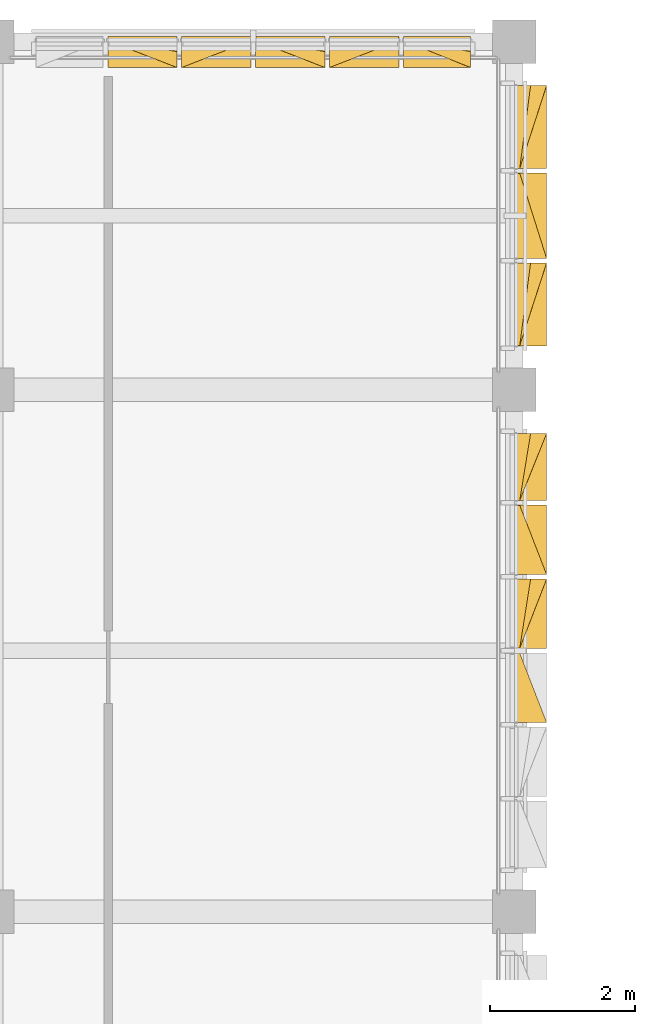
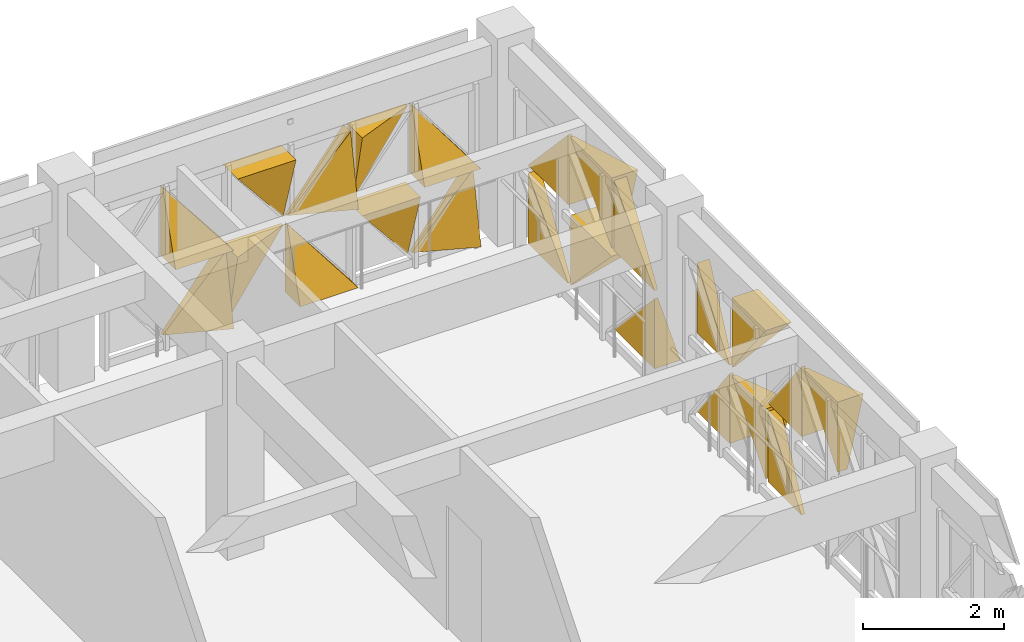
# One storey, part 99 of 99: 23 coverings.
"""IFC4 building model written with IfcOpenShell, lengths in metres."""

from ifc_helpers import new_model, si_unit, direction, frame, origin, place, context, subcontext, project, spatial, polygons, material, layer, layer_set, type_object, element, save


model = new_model("IFC4")

# Units and contexts
model_context = context("Model", 3, precision=1e-05, world=origin(), true_north=direction((0.0, 1.0)))
body_context = subcontext(model_context, "Body", "Model", "MODEL_VIEW")
ifc_project = project(units=[si_unit("LENGTHUNIT", "METRE"), si_unit("AREAUNIT", "SQUARE_METRE"), si_unit("VOLUMEUNIT", "CUBIC_METRE"), si_unit("PLANEANGLEUNIT", "RADIAN"), si_unit("MASSUNIT", "GRAM", prefix="KILO")], contexts=[model_context])

# Site, building, storey
site_placement = place(None, origin())
site = spatial("IfcSite", under=ifc_project, at=site_placement, CompositionType="ELEMENT")
building_placement = place(site_placement, origin())
building = spatial("IfcBuilding", under=site, at=building_placement, Name="Alvorim Cloister Faculty of Sciences", CompositionType="ELEMENT")
storey_placement = place(building_placement, frame((0.0, 0.0, 12.14990234375)))
storey = spatial("IfcBuildingStorey", under=building, at=storey_placement, Name="L03", CompositionType="ELEMENT", Elevation=12.14990234375)

# Coverings
ifc_material = material(Name="Perforated Bronze Alloy Sheet", Category="metal")
ifc_layer = layer(ifc_material, 0.0380859375)
ifc_layer_set = layer_set([ifc_layer], Name="Perforated Bronze Alloy Sheet")
covering_type = type_object("IfcCoveringType", Name="COV-TRI-BRZ", PredefinedType="CLADDING", material=ifc_layer_set)
covering_1_placement = place(storey_placement, frame((15.992431640625, 111.64501953125, 0.14013671875), z_axis=(0.0, 0.0, 1.0), x_axis=(1.0, 0.0, 0.0)))
element("IfcCovering", 1, at=covering_1_placement, inside=storey, type_object=covering_type, Name="Diagonal Solid Metal Triangle TRI-BR", PredefinedType="CLADDING", context=body_context, shape_type="Tessellation", body=[
    polygons([(0.002, 0.0260009765625, 0.0), (0.955078125, 0.0260009765625, 0.0), (0.955078125, 0.0260009765625, 1.21284375), (0.002, -0.03, 0.0), (0.955078125, -0.4, 0.0), (0.955078125, -0.18000000000000002, 1.21284375)], [[[1, 3, 2]], [[4, 5, 6]], [[1, 2, 5, 4]], [[2, 3, 6, 5]], [[3, 1, 4, 6]]], closed=True),
])
covering_2_placement = place(storey_placement, frame((15.992431640625, 111.64501953125, 1.4951171875), z_axis=(0.0, 0.0, 1.0), x_axis=(1.0, 0.0, 0.0)))
element("IfcCovering", 2, at=covering_2_placement, inside=storey, type_object=covering_type, Name="Diagonal Solid Metal Triangle TRI-BL", PredefinedType="CLADDING", context=body_context, shape_type="Tessellation", body=[
    polygons([(0.0, 0.0260009765625, 0.0), (0.953078125, 0.0260009765625, 0.0), (0.0, 0.0260009765625, 1.213087890625), (0.0, -0.4, 0.0), (0.953078125, -0.4, 0.0), (0.0, -0.03, 1.213087890625)], [[[1, 3, 2]], [[4, 5, 6]], [[1, 2, 5, 4]], [[2, 3, 6, 5]], [[3, 1, 4, 6]]], closed=True),
])
covering_3_placement = place(storey_placement, frame((17.012451171875, 111.64501953125, 0.14013671875), z_axis=(0.0, 0.0, 1.0), x_axis=(1.0, 0.0, 0.0)))
element("IfcCovering", 3, at=covering_3_placement, inside=storey, type_object=covering_type, Name="Diagonal Solid Metal Triangle TRI-TL", PredefinedType="CLADDING", context=body_context, shape_type="Tessellation", body=[
    polygons([(0.953078125, 0.0260009765625, 1.21484375), (0.0, 0.0260009765625, 1.21484375), (0.0, 0.0260009765625, 0.002), (0.953078125, -0.03, 1.21484375), (0.0, -0.4, 1.21484375), (0.0, -0.13999999999999999, 0.002)], [[[1, 3, 2]], [[4, 5, 6]], [[1, 2, 5, 4]], [[2, 3, 6, 5]], [[3, 1, 4, 6]]], closed=True),
])
covering_4_placement = place(storey_placement, frame((17.012451171875, 111.64501953125, 1.4951171875), z_axis=(0.0, 0.0, 1.0), x_axis=(1.0, 0.0, 0.0)))
element("IfcCovering", 4, at=covering_4_placement, inside=storey, type_object=covering_type, Name="Diagonal Solid Metal Triangle TRI-TR", PredefinedType="CLADDING", context=body_context, shape_type="Tessellation", body=[
    polygons([(0.955078125, 0.0260009765625, 0.002), (0.955078125, 0.0260009765625, 1.215087890625), (0.002, 0.0260009765625, 1.215087890625), (0.955078125, -0.03, 0.002), (0.955078125, -0.4, 1.215087890625), (0.002, -0.4, 1.215087890625)], [[[1, 3, 2]], [[4, 5, 6]], [[1, 2, 5, 4]], [[2, 3, 6, 5]], [[3, 1, 4, 6]]], closed=True),
])
covering_5_placement = place(storey_placement, frame((18.032470703125, 111.64501953125, 0.14013671875), z_axis=(0.0, 0.0, 1.0), x_axis=(1.0, 0.0, 0.0)))
element("IfcCovering", 5, at=covering_5_placement, inside=storey, type_object=covering_type, Name="Diagonal Solid Metal Triangle TRI-BL", PredefinedType="CLADDING", context=body_context, shape_type="Tessellation", body=[
    polygons([(0.0, 0.0260009765625, 0.0), (0.953078125, 0.0260009765625, 0.0), (0.0, 0.0260009765625, 1.21284375), (0.0, -0.4, 0.0), (0.953078125, -0.4, 0.0), (0.0, -0.03, 1.21284375)], [[[1, 3, 2]], [[4, 5, 6]], [[1, 2, 5, 4]], [[2, 3, 6, 5]], [[3, 1, 4, 6]]], closed=True),
])
covering_6_placement = place(storey_placement, frame((18.032470703125, 111.64501953125, 1.4951171875), z_axis=(0.0, 0.0, 1.0), x_axis=(1.0, 0.0, 0.0)))
element("IfcCovering", 6, at=covering_6_placement, inside=storey, type_object=covering_type, Name="Diagonal Solid Metal Triangle TRI-BR", PredefinedType="CLADDING", context=body_context, shape_type="Tessellation", body=[
    polygons([(0.002, 0.0260009765625, 0.0), (0.955078125, 0.0260009765625, 0.0), (0.955078125, 0.0260009765625, 1.213087890625), (0.002, -0.03, 0.0), (0.955078125, -0.4, 0.0), (0.955078125, -0.18000000000000002, 1.213087890625)], [[[1, 3, 2]], [[4, 5, 6]], [[1, 2, 5, 4]], [[2, 3, 6, 5]], [[3, 1, 4, 6]]], closed=True),
])
covering_7_placement = place(storey_placement, frame((19.052490234375, 111.64501953125, 0.14013671875), z_axis=(0.0, 0.0, 1.0), x_axis=(1.0, 0.0, 0.0)))
element("IfcCovering", 7, at=covering_7_placement, inside=storey, type_object=covering_type, Name="Diagonal Solid Metal Triangle TRI-TR", PredefinedType="CLADDING", context=body_context, shape_type="Tessellation", body=[
    polygons([(0.955078125, 0.0260009765625, 0.002), (0.955078125, 0.0260009765625, 1.21484375), (0.002, 0.0260009765625, 1.21484375), (0.955078125, -0.03, 0.002), (0.955078125, -0.4, 1.21484375), (0.002, -0.4, 1.21484375)], [[[1, 3, 2]], [[4, 5, 6]], [[1, 2, 5, 4]], [[2, 3, 6, 5]], [[3, 1, 4, 6]]], closed=True),
])
covering_8_placement = place(storey_placement, frame((19.052490234375, 111.64501953125, 1.4951171875), z_axis=(0.0, 0.0, 1.0), x_axis=(1.0, 0.0, 0.0)))
element("IfcCovering", 8, at=covering_8_placement, inside=storey, type_object=covering_type, Name="Diagonal Solid Metal Triangle TRI-TL", PredefinedType="CLADDING", context=body_context, shape_type="Tessellation", body=[
    polygons([(0.953078125, 0.0260009765625, 1.215087890625), (0.0, 0.0260009765625, 1.215087890625), (0.0, 0.0260009765625, 0.002), (0.953078125, -0.03, 1.215087890625), (0.0, -0.4, 1.215087890625), (0.0, -0.13999999999999999, 0.002)], [[[1, 3, 2]], [[4, 5, 6]], [[1, 2, 5, 4]], [[2, 3, 6, 5]], [[3, 1, 4, 6]]], closed=True),
])
covering_9_placement = place(storey_placement, frame((20.072509765625, 111.64501953125, 0.14013671875), z_axis=(0.0, 0.0, 1.0), x_axis=(1.0, 0.0, 0.0)))
element("IfcCovering", 9, at=covering_9_placement, inside=storey, type_object=covering_type, Name="Diagonal Solid Metal Triangle TRI-BR", PredefinedType="CLADDING", context=body_context, shape_type="Tessellation", body=[
    polygons([(0.002, 0.0260009765625, 0.0), (0.922607421875, 0.0260009765625, 0.0), (0.922607421875, 0.0260009765625, 1.21284375), (0.002, -0.03, 0.0), (0.922607421875, -0.4, 0.0), (0.922607421875, -0.18000000000000002, 1.21284375)], [[[1, 3, 2]], [[4, 5, 6]], [[1, 2, 5, 4]], [[2, 3, 6, 5]], [[3, 1, 4, 6]]], closed=True),
])
covering_10_placement = place(storey_placement, frame((20.072509765625, 111.64501953125, 1.4951171875), z_axis=(0.0, 0.0, 1.0), x_axis=(1.0, 0.0, 0.0)))
element("IfcCovering", 10, at=covering_10_placement, inside=storey, type_object=covering_type, Name="Diagonal Solid Metal Triangle TRI-BL", PredefinedType="CLADDING", context=body_context, shape_type="Tessellation", body=[
    polygons([(0.0, 0.0260009765625, 0.0), (0.920607421875, 0.0260009765625, 0.0), (0.0, 0.0260009765625, 1.213087890625), (0.0, -0.4, 0.0), (0.920607421875, -0.4, 0.0), (0.0, -0.03, 1.213087890625)], [[[1, 3, 2]], [[4, 5, 6]], [[1, 2, 5, 4]], [[2, 3, 6, 5]], [[3, 1, 4, 6]]], closed=True),
])
covering_11_placement = place(storey_placement, frame((21.64501953125, 107.405029296875, 0.14013671875), z_axis=(0.0, 0.0, 1.0), x_axis=(0.0, 1.0, 0.0)))
element("IfcCovering", 11, at=covering_11_placement, inside=storey, type_object=covering_type, Name="Diagonal Solid Metal Triangle TRI-BL", PredefinedType="CLADDING", context=body_context, shape_type="Tessellation", body=[
    polygons([(0.0, 0.0260009765625, 0.0), (1.140578125, 0.0260009765625, 0.0), (0.0, 0.0260009765625, 1.21284375), (0.0, -0.4, 0.0), (1.140578125, -0.4, 0.0), (0.0, -0.03, 1.21284375)], [[[1, 3, 2]], [[4, 5, 6]], [[1, 2, 5, 4]], [[2, 3, 6, 5]], [[3, 1, 4, 6]]], closed=True),
])
covering_12_placement = place(storey_placement, frame((21.64501953125, 107.405029296875, 1.4951171875), z_axis=(0.0, 0.0, 1.0), x_axis=(0.0, 1.0, 0.0)))
element("IfcCovering", 12, at=covering_12_placement, inside=storey, type_object=covering_type, Name="Diagonal Solid Metal Triangle TRI-BR", PredefinedType="CLADDING", context=body_context, shape_type="Tessellation", body=[
    polygons([(0.002, 0.0260009765625, 0.0), (1.142578125, 0.0260009765625, 0.0), (1.142578125, 0.0260009765625, 1.213087890625), (0.002, -0.03, 0.0), (1.142578125, -0.4, 0.0), (1.142578125, -0.18000000000000002, 1.213087890625)], [[[1, 3, 2]], [[4, 5, 6]], [[1, 2, 5, 4]], [[2, 3, 6, 5]], [[3, 1, 4, 6]]], closed=True),
])
covering_13_placement = place(storey_placement, frame((21.64501953125, 108.612548828125, 0.14013671875), z_axis=(0.0, 0.0, 1.0), x_axis=(0.0, 1.0, 0.0)))
element("IfcCovering", 13, at=covering_13_placement, inside=storey, type_object=covering_type, Name="Diagonal Solid Metal Triangle TRI-TR", PredefinedType="CLADDING", context=body_context, shape_type="Tessellation", body=[
    polygons([(1.175048828125, 0.0260009765625, 0.002), (1.175048828125, 0.0260009765625, 1.21484375), (0.002, 0.0260009765625, 1.21484375), (1.175048828125, -0.03, 0.002), (1.175048828125, -0.4, 1.21484375), (0.002, -0.4, 1.21484375)], [[[1, 3, 2]], [[4, 5, 6]], [[1, 2, 5, 4]], [[2, 3, 6, 5]], [[3, 1, 4, 6]]], closed=True),
])
covering_14_placement = place(storey_placement, frame((21.64501953125, 108.612548828125, 1.4951171875), z_axis=(0.0, 0.0, 1.0), x_axis=(0.0, 1.0, 0.0)))
element("IfcCovering", 14, at=covering_14_placement, inside=storey, type_object=covering_type, Name="Diagonal Solid Metal Triangle TRI-TL", PredefinedType="CLADDING", context=body_context, shape_type="Tessellation", body=[
    polygons([(1.173048828125, 0.0260009765625, 1.215087890625), (0.0, 0.0260009765625, 1.215087890625), (0.0, 0.0260009765625, 0.002), (1.173048828125, -0.03, 1.215087890625), (0.0, -0.4, 1.215087890625), (0.0, -0.13999999999999999, 0.002)], [[[1, 3, 2]], [[4, 5, 6]], [[1, 2, 5, 4]], [[2, 3, 6, 5]], [[3, 1, 4, 6]]], closed=True),
])
covering_15_placement = place(storey_placement, frame((21.64501953125, 109.8525390625, 0.14013671875), z_axis=(0.0, 0.0, 1.0), x_axis=(0.0, 1.0, 0.0)))
element("IfcCovering", 15, at=covering_15_placement, inside=storey, type_object=covering_type, Name="Diagonal Solid Metal Triangle TRI-BR", PredefinedType="CLADDING", context=body_context, shape_type="Tessellation", body=[
    polygons([(0.002, 0.0260009765625, 0.0), (1.142578125, 0.0260009765625, 0.0), (1.142578125, 0.0260009765625, 1.21284375), (0.002, -0.03, 0.0), (1.142578125, -0.4, 0.0), (1.142578125, -0.18000000000000002, 1.21284375)], [[[1, 3, 2]], [[4, 5, 6]], [[1, 2, 5, 4]], [[2, 3, 6, 5]], [[3, 1, 4, 6]]], closed=True),
])
covering_16_placement = place(storey_placement, frame((21.64501953125, 109.8525390625, 1.4951171875), z_axis=(0.0, 0.0, 1.0), x_axis=(0.0, 1.0, 0.0)))
element("IfcCovering", 16, at=covering_16_placement, inside=storey, type_object=covering_type, Name="Diagonal Solid Metal Triangle TRI-BL", PredefinedType="CLADDING", context=body_context, shape_type="Tessellation", body=[
    polygons([(0.0, 0.0260009765625, 0.0), (1.140578125, 0.0260009765625, 0.0), (0.0, 0.0260009765625, 1.213087890625), (0.0, -0.4, 0.0), (1.140578125, -0.4, 0.0), (0.0, -0.03, 1.213087890625)], [[[1, 3, 2]], [[4, 5, 6]], [[1, 2, 5, 4]], [[2, 3, 6, 5]], [[3, 1, 4, 6]]], closed=True),
])
covering_17_placement = place(storey_placement, frame((21.64501953125, 102.21240234375, 1.4951171875), z_axis=(0.0, 0.0, 1.0), x_axis=(0.0, 1.0, 0.0)))
element("IfcCovering", 17, at=covering_17_placement, inside=storey, type_object=covering_type, Name="Diagonal Solid Metal Triangle TRI-TL", PredefinedType="CLADDING", context=body_context, shape_type="Tessellation", body=[
    polygons([(0.953078125, 0.0260009765625, 1.215087890625), (0.0, 0.0260009765625, 1.215087890625), (0.0, 0.0260009765625, 0.002), (0.953078125, -0.03, 1.215087890625), (0.0, -0.4, 1.215087890625), (0.0, -0.13999999999999999, 0.002)], [[[1, 3, 2]], [[4, 5, 6]], [[1, 2, 5, 4]], [[2, 3, 6, 5]], [[3, 1, 4, 6]]], closed=True),
])
covering_18_placement = place(storey_placement, frame((21.64501953125, 103.232421875, 0.14013671875), z_axis=(0.0, 0.0, 1.0), x_axis=(0.0, 1.0, 0.0)))
element("IfcCovering", 18, at=covering_18_placement, inside=storey, type_object=covering_type, Name="Diagonal Solid Metal Triangle TRI-BR", PredefinedType="CLADDING", context=body_context, shape_type="Tessellation", body=[
    polygons([(0.002, 0.0260009765625, 0.0), (0.955078125, 0.0260009765625, 0.0), (0.955078125, 0.0260009765625, 1.21284375), (0.002, -0.03, 0.0), (0.955078125, -0.4, 0.0), (0.955078125, -0.18000000000000002, 1.21284375)], [[[1, 3, 2]], [[4, 5, 6]], [[1, 2, 5, 4]], [[2, 3, 6, 5]], [[3, 1, 4, 6]]], closed=True),
])
covering_19_placement = place(storey_placement, frame((21.64501953125, 103.232421875, 1.4951171875), z_axis=(0.0, 0.0, 1.0), x_axis=(0.0, 1.0, 0.0)))
element("IfcCovering", 19, at=covering_19_placement, inside=storey, type_object=covering_type, Name="Diagonal Solid Metal Triangle TRI-BL", PredefinedType="CLADDING", context=body_context, shape_type="Tessellation", body=[
    polygons([(0.0, 0.0260009765625, 0.0), (0.953078125, 0.0260009765625, 0.0), (0.0, 0.0260009765625, 1.213087890625), (0.0, -0.4, 0.0), (0.953078125, -0.4, 0.0), (0.0, -0.03, 1.213087890625)], [[[1, 3, 2]], [[4, 5, 6]], [[1, 2, 5, 4]], [[2, 3, 6, 5]], [[3, 1, 4, 6]]], closed=True),
])
covering_20_placement = place(storey_placement, frame((21.64501953125, 104.25244140625, 0.14013671875), z_axis=(0.0, 0.0, 1.0), x_axis=(0.0, 1.0, 0.0)))
element("IfcCovering", 20, at=covering_20_placement, inside=storey, type_object=covering_type, Name="Diagonal Solid Metal Triangle TRI-TL", PredefinedType="CLADDING", context=body_context, shape_type="Tessellation", body=[
    polygons([(0.953078125, 0.0260009765625, 1.21484375), (0.0, 0.0260009765625, 1.21484375), (0.0, 0.0260009765625, 0.002), (0.953078125, -0.03, 1.21484375), (0.0, -0.4, 1.21484375), (0.0, -0.13999999999999999, 0.002)], [[[1, 3, 2]], [[4, 5, 6]], [[1, 2, 5, 4]], [[2, 3, 6, 5]], [[3, 1, 4, 6]]], closed=True),
])
covering_21_placement = place(storey_placement, frame((21.64501953125, 104.25244140625, 1.4951171875), z_axis=(0.0, 0.0, 1.0), x_axis=(0.0, 1.0, 0.0)))
element("IfcCovering", 21, at=covering_21_placement, inside=storey, type_object=covering_type, Name="Diagonal Solid Metal Triangle TRI-TR", PredefinedType="CLADDING", context=body_context, shape_type="Tessellation", body=[
    polygons([(0.955078125, 0.0260009765625, 0.002), (0.955078125, 0.0260009765625, 1.215087890625), (0.002, 0.0260009765625, 1.215087890625), (0.955078125, -0.03, 0.002), (0.955078125, -0.4, 1.215087890625), (0.002, -0.4, 1.215087890625)], [[[1, 3, 2]], [[4, 5, 6]], [[1, 2, 5, 4]], [[2, 3, 6, 5]], [[3, 1, 4, 6]]], closed=True),
])
covering_22_placement = place(storey_placement, frame((21.64501953125, 105.2724609375, 0.14013671875), z_axis=(0.0, 0.0, 1.0), x_axis=(0.0, 1.0, 0.0)))
element("IfcCovering", 22, at=covering_22_placement, inside=storey, type_object=covering_type, Name="Diagonal Solid Metal Triangle TRI-BL", PredefinedType="CLADDING", context=body_context, shape_type="Tessellation", body=[
    polygons([(0.0, 0.0260009765625, 0.0), (0.920607421875, 0.0260009765625, 0.0), (0.0, 0.0260009765625, 1.21284375), (0.0, -0.4, 0.0), (0.920607421875, -0.4, 0.0), (0.0, -0.03, 1.21284375)], [[[1, 3, 2]], [[4, 5, 6]], [[1, 2, 5, 4]], [[2, 3, 6, 5]], [[3, 1, 4, 6]]], closed=True),
])
covering_23_placement = place(storey_placement, frame((21.64501953125, 105.2724609375, 1.4951171875), z_axis=(0.0, 0.0, 1.0), x_axis=(0.0, 1.0, 0.0)))
element("IfcCovering", 23, at=covering_23_placement, inside=storey, type_object=covering_type, Name="Diagonal Solid Metal Triangle TRI-BR", PredefinedType="CLADDING", context=body_context, shape_type="Tessellation", body=[
    polygons([(0.002, 0.0260009765625, 0.0), (0.922607421875, 0.0260009765625, 0.0), (0.922607421875, 0.0260009765625, 1.213087890625), (0.002, -0.03, 0.0), (0.922607421875, -0.4, 0.0), (0.922607421875, -0.18000000000000002, 1.213087890625)], [[[1, 3, 2]], [[4, 5, 6]], [[1, 2, 5, 4]], [[2, 3, 6, 5]], [[3, 1, 4, 6]]], closed=True),
])

save(model, "model.ifc")
